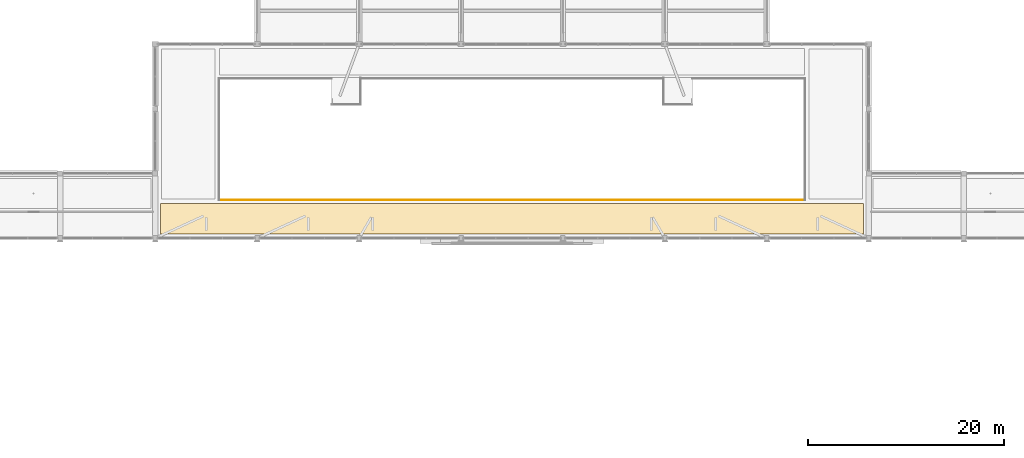
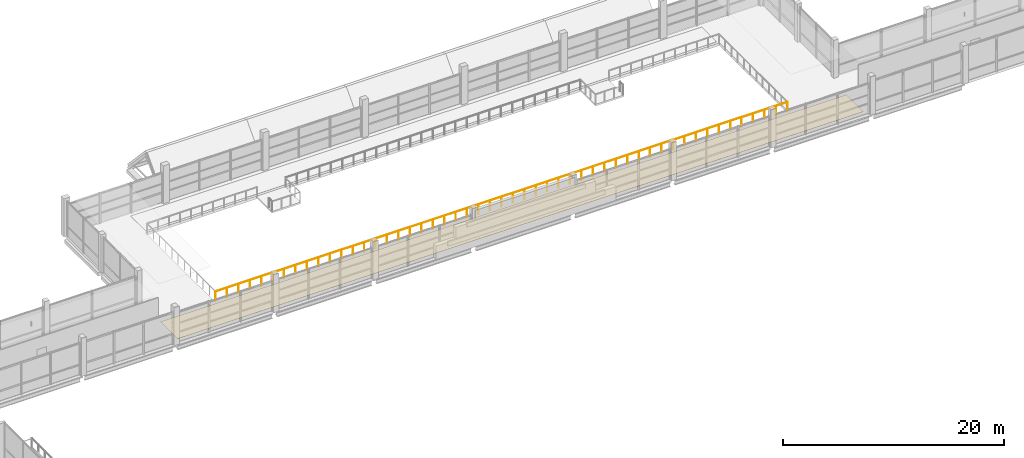
# One storey, part 79 of 85: 1 covering, 1 railing.
"""IFC4 building model written with IfcOpenShell, lengths in metres."""

from ifc_helpers import new_model, si_unit, derived_unit, direction, frame, origin, origin_2d, place, context, subcontext, project, spatial, polyline, circle, outline, extrude, material, layer, layer_set, type_object, element, save


model = new_model("IFC4")

# Units and contexts
model_context = context("Model", 3, precision=1e-05, world=origin(), true_north=direction((0.0, 1.0)))
body_context = subcontext(model_context, "Body", "Model", "MODEL_VIEW")
ifc_project = project(units=[si_unit("LENGTHUNIT", "METRE"), si_unit("AREAUNIT", "SQUARE_METRE"), si_unit("VOLUMEUNIT", "CUBIC_METRE"), si_unit("PLANEANGLEUNIT", "RADIAN"), si_unit("MASSUNIT", "GRAM", prefix="KILO"), derived_unit("THERMALTRANSMITTANCEUNIT", [(si_unit("POWERUNIT", "WATT"), 1), (si_unit("LENGTHUNIT", "METRE"), -2), (si_unit("THERMODYNAMICTEMPERATUREUNIT", "KELVIN"), -1)])], contexts=[model_context])

# Site, building, storey
site_placement = place(None, origin())
site = spatial("IfcSite", under=ifc_project, at=site_placement, CompositionType="ELEMENT")
building_placement = place(site_placement, origin())
building = spatial("IfcBuilding", under=site, at=building_placement, Name="Braskholm Square Health Centre", CompositionType="ELEMENT")
storey_placement = place(building_placement, frame((0.0, 0.0, 9.300048828125)))
storey = spatial("IfcBuildingStorey", under=building, at=storey_placement, Name="L03", CompositionType="ELEMENT", Elevation=9.300048828125)

# Railing
ifc_material_1 = material(Name="Dark patinated chevron architectural bronze", Category="aluminium")
railing_type = type_object("IfcRailingType", Name="BronzeChevronGuardrail1100", PredefinedType="GUARDRAIL", material=ifc_material_1)
railing_placement = place(storey_placement, frame((113.89990234375, 91.10009765625, 0.0)))
element("IfcRailing", 1, at=railing_placement, inside=storey, type_object=railing_type, Name="Bronze chevron guardrail 0065 L03", PredefinedType="GUARDRAIL", context=body_context, shape_type="SweptSolid", body=[
    extrude(circle(Radius=0.02392578125, at=origin_2d()), frame((0.0, 0.0, 1.076171875), z_axis=(-1.0, 0.0, 0.0), x_axis=(0.0, -1.0, 0.0)), (0.0, 0.0, 1.0), 59.7998046875),
    extrude(circle(Radius=0.02099609375, at=origin_2d()), origin(), (0.0, 0.0, 1.0), 1.052001953125),
    extrude(circle(Radius=0.02099609375, at=origin_2d()), frame((-1.196044921875, 0.0, 0.0)), (0.0, 0.0, 1.0), 1.052001953125),
    extrude(circle(Radius=0.02099609375, at=origin_2d()), frame((-2.39208984375, 0.0, 0.0)), (0.0, 0.0, 1.0), 1.052001953125),
    extrude(circle(Radius=0.02099609375, at=origin_2d()), frame((-3.587890625, 0.0, 0.0)), (0.0, 0.0, 1.0), 1.052001953125),
    extrude(circle(Radius=0.02099609375, at=origin_2d()), frame((-4.783935546875, 0.0, 0.0)), (0.0, 0.0, 1.0), 1.052001953125),
    extrude(circle(Radius=0.02099609375, at=origin_2d()), frame((-5.97998046875, 0.0, 0.0)), (0.0, 0.0, 1.0), 1.052001953125),
    extrude(circle(Radius=0.02099609375, at=origin_2d()), frame((-7.176025390625, 0.0, 0.0)), (0.0, 0.0, 1.0), 1.052001953125),
    extrude(circle(Radius=0.02099609375, at=origin_2d()), frame((-8.3720703125, 0.0, 0.0)), (0.0, 0.0, 1.0), 1.052001953125),
    extrude(circle(Radius=0.02099609375, at=origin_2d()), frame((-9.56787109375, 0.0, 0.0)), (0.0, 0.0, 1.0), 1.052001953125),
    extrude(circle(Radius=0.02099609375, at=origin_2d()), frame((-10.763916015625, 0.0, 0.0)), (0.0, 0.0, 1.0), 1.052001953125),
    extrude(circle(Radius=0.02099609375, at=origin_2d()), frame((-11.9599609375, 0.0, 0.0)), (0.0, 0.0, 1.0), 1.052001953125),
    extrude(circle(Radius=0.02099609375, at=origin_2d()), frame((-13.156005859375, 0.0, 0.0)), (0.0, 0.0, 1.0), 1.052001953125),
    extrude(circle(Radius=0.02099609375, at=origin_2d()), frame((-14.35205078125, 0.0, 0.0)), (0.0, 0.0, 1.0), 1.052001953125),
    extrude(circle(Radius=0.02099609375, at=origin_2d()), frame((-15.5478515625, 0.0, 0.0)), (0.0, 0.0, 1.0), 1.052001953125),
    extrude(circle(Radius=0.02099609375, at=origin_2d()), frame((-16.743896484375, 0.0, 0.0)), (0.0, 0.0, 1.0), 1.052001953125),
    extrude(circle(Radius=0.02099609375, at=origin_2d()), frame((-17.93994140625, 0.0, 0.0)), (0.0, 0.0, 1.0), 1.052001953125),
    extrude(circle(Radius=0.02099609375, at=origin_2d()), frame((-19.135986328125, 0.0, 0.0)), (0.0, 0.0, 1.0), 1.052001953125),
    extrude(circle(Radius=0.02099609375, at=origin_2d()), frame((-20.33203125, 0.0, 0.0)), (0.0, 0.0, 1.0), 1.052001953125),
    extrude(circle(Radius=0.02099609375, at=origin_2d()), frame((-21.52783203125, 0.0, 0.0)), (0.0, 0.0, 1.0), 1.052001953125),
    extrude(circle(Radius=0.02099609375, at=origin_2d()), frame((-22.723876953125, 0.0, 0.0)), (0.0, 0.0, 1.0), 1.052001953125),
    extrude(circle(Radius=0.02099609375, at=origin_2d()), frame((-23.919921875, 0.0, 0.0)), (0.0, 0.0, 1.0), 1.052001953125),
    extrude(circle(Radius=0.02099609375, at=origin_2d()), frame((-25.115966796875, 0.0, 0.0)), (0.0, 0.0, 1.0), 1.052001953125),
    extrude(circle(Radius=0.02099609375, at=origin_2d()), frame((-26.31201171875, 0.0, 0.0)), (0.0, 0.0, 1.0), 1.052001953125),
    extrude(circle(Radius=0.02099609375, at=origin_2d()), frame((-27.5078125, 0.0, 0.0)), (0.0, 0.0, 1.0), 1.052001953125),
    extrude(circle(Radius=0.02099609375, at=origin_2d()), frame((-28.703857421875, 0.0, 0.0)), (0.0, 0.0, 1.0), 1.052001953125),
    extrude(circle(Radius=0.02099609375, at=origin_2d()), frame((-29.89990234375, 0.0, 0.0)), (0.0, 0.0, 1.0), 1.052001953125),
    extrude(circle(Radius=0.02099609375, at=origin_2d()), frame((-31.095947265625, 0.0, 0.0)), (0.0, 0.0, 1.0), 1.052001953125),
    extrude(circle(Radius=0.02099609375, at=origin_2d()), frame((-32.2919921875, 0.0, 0.0)), (0.0, 0.0, 1.0), 1.052001953125),
    extrude(circle(Radius=0.02099609375, at=origin_2d()), frame((-33.48779296875, 0.0, 0.0)), (0.0, 0.0, 1.0), 1.052001953125),
    extrude(circle(Radius=0.02099609375, at=origin_2d()), frame((-34.683837890625, 0.0, 0.0)), (0.0, 0.0, 1.0), 1.052001953125),
    extrude(circle(Radius=0.02099609375, at=origin_2d()), frame((-35.8798828125, 0.0, 0.0)), (0.0, 0.0, 1.0), 1.052001953125),
    extrude(circle(Radius=0.02099609375, at=origin_2d()), frame((-37.075927734375, 0.0, 0.0)), (0.0, 0.0, 1.0), 1.052001953125),
    extrude(circle(Radius=0.02099609375, at=origin_2d()), frame((-38.27197265625, 0.0, 0.0)), (0.0, 0.0, 1.0), 1.052001953125),
    extrude(circle(Radius=0.02099609375, at=origin_2d()), frame((-39.4677734375, 0.0, 0.0)), (0.0, 0.0, 1.0), 1.052001953125),
    extrude(circle(Radius=0.02099609375, at=origin_2d()), frame((-40.663818359375, 0.0, 0.0)), (0.0, 0.0, 1.0), 1.052001953125),
    extrude(circle(Radius=0.02099609375, at=origin_2d()), frame((-41.85986328125, 0.0, 0.0)), (0.0, 0.0, 1.0), 1.052001953125),
    extrude(circle(Radius=0.02099609375, at=origin_2d()), frame((-43.055908203125, 0.0, 0.0)), (0.0, 0.0, 1.0), 1.052001953125),
    extrude(circle(Radius=0.02099609375, at=origin_2d()), frame((-44.251953125, 0.0, 0.0)), (0.0, 0.0, 1.0), 1.052001953125),
    extrude(circle(Radius=0.02099609375, at=origin_2d()), frame((-45.44775390625, 0.0, 0.0)), (0.0, 0.0, 1.0), 1.052001953125),
    extrude(circle(Radius=0.02099609375, at=origin_2d()), frame((-46.643798828125, 0.0, 0.0)), (0.0, 0.0, 1.0), 1.052001953125),
    extrude(circle(Radius=0.02099609375, at=origin_2d()), frame((-47.83984375, 0.0, 0.0)), (0.0, 0.0, 1.0), 1.052001953125),
    extrude(circle(Radius=0.02099609375, at=origin_2d()), frame((-49.035888671875, 0.0, 0.0)), (0.0, 0.0, 1.0), 1.052001953125),
    extrude(circle(Radius=0.02099609375, at=origin_2d()), frame((-50.23193359375, 0.0, 0.0)), (0.0, 0.0, 1.0), 1.052001953125),
    extrude(circle(Radius=0.02099609375, at=origin_2d()), frame((-51.427734375, 0.0, 0.0)), (0.0, 0.0, 1.0), 1.052001953125),
    extrude(circle(Radius=0.02099609375, at=origin_2d()), frame((-52.623779296875, 0.0, 0.0)), (0.0, 0.0, 1.0), 1.052001953125),
    extrude(circle(Radius=0.02099609375, at=origin_2d()), frame((-53.81982421875, 0.0, 0.0)), (0.0, 0.0, 1.0), 1.052001953125),
    extrude(circle(Radius=0.02099609375, at=origin_2d()), frame((-55.015869140625, 0.0, 0.0)), (0.0, 0.0, 1.0), 1.052001953125),
    extrude(circle(Radius=0.02099609375, at=origin_2d()), frame((-56.2119140625, 0.0, 0.0)), (0.0, 0.0, 1.0), 1.052001953125),
    extrude(circle(Radius=0.02099609375, at=origin_2d()), frame((-57.40771484375, 0.0, 0.0)), (0.0, 0.0, 1.0), 1.052001953125),
    extrude(circle(Radius=0.02099609375, at=origin_2d()), frame((-58.603759765625, 0.0, 0.0)), (0.0, 0.0, 1.0), 1.052001953125),
    extrude(circle(Radius=0.02099609375, at=origin_2d()), frame((-59.7998046875, 0.0, 0.0)), (0.0, 0.0, 1.0), 1.052001953125),
])

# Covering
ifc_material_2 = material(Name="Polished geometric terrazzo flooring", Category="masonry")
ifc_layer = layer(ifc_material_2, 0.02001953125)
ifc_layer_set = layer_set([ifc_layer], Name="Polished geometric terrazzo flooring")
covering_type = type_object("IfcCoveringType", Name="PolishedTerrazzoFloorFinish", PredefinedType="FLOORING", material=ifc_layer_set)
covering_placement = place(storey_placement, origin())
element("IfcCovering", 2, at=covering_placement, inside=storey, type_object=covering_type, Name="Polished terrazzo floor L03-303", PredefinedType="FLOORING", context=body_context, shape_type="SweptSolid", body=[
    extrude(outline(polyline([(48.14990234375, 87.64990234375), (119.85009765625, 87.64990234375), (119.85009765625, 90.75), (48.14990234375, 90.75), (48.14990234375, 87.64990234375)])), origin(), (0.0, 0.0, 1.0), 0.02001953125),
])

save(model, "model.ifc")
